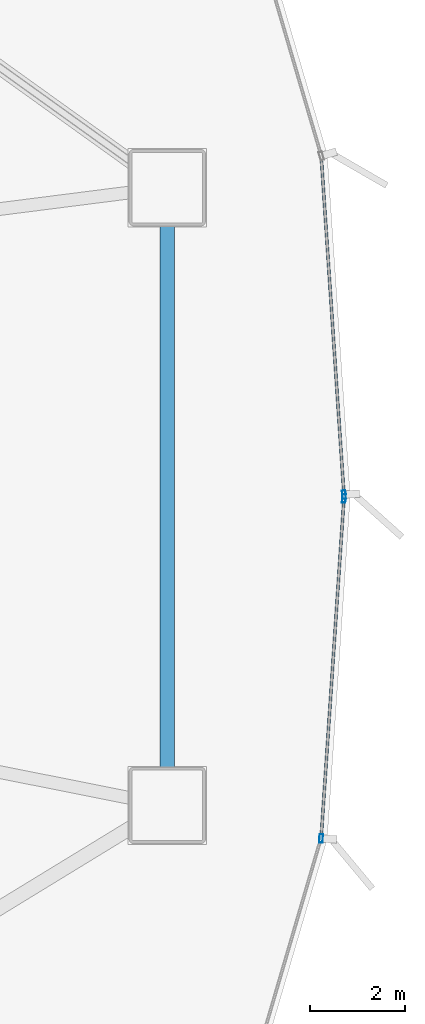
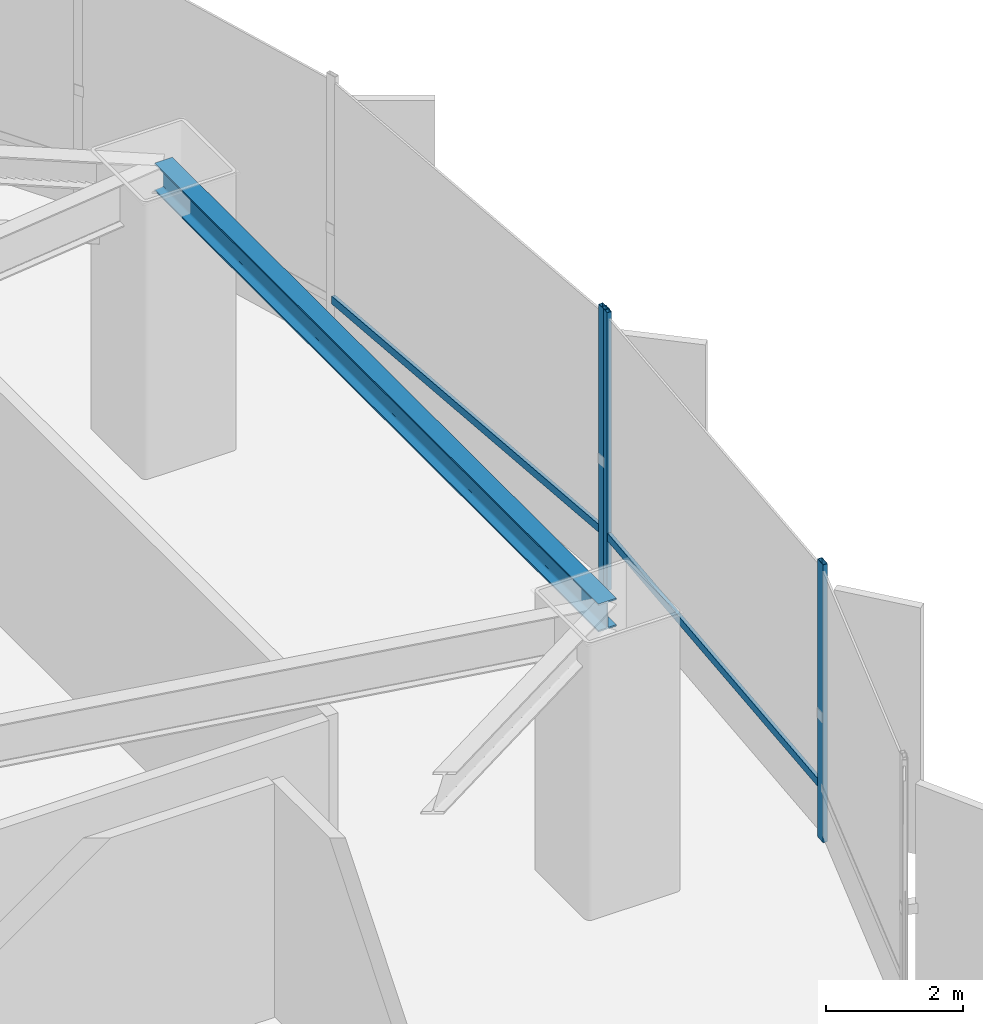
# One storey, part 18 of 35: 5 members, 1 beam, 2 elements without a shape of their own.
"""IFC4 building model written with IfcOpenShell, lengths in metres."""

import ifcopenshell
import ifcopenshell.guid

model = None  # the IFC model being written
_history = None  # IfcOwnerHistory: only IFC2X3 demands one
_inside = {}  # id of a spatial element -> (the spatial element, [elements in it])
_under = {}  # id of a project, library or spatial element -> (it, [spatial elements below it])
_declared = {}  # id of a project -> (the project, [libraries it declares])
_typed = {}  # id of a type object -> (the type object, [elements of that type])
_made_of = {}  # id of a material, layer set ... -> (it, [elements and type objects made of it])


def new_model(schema):
    """Start an empty IFC model of exactly this schema.

    Asked for "IFC4X3", IfcOpenShell would pick the latest addendum, in which some entities
    have other attributes; the version numbers below select the first issue.
    IFC2X3 requires an IfcOwnerHistory on every rooted entity: one is made here for all.
    """
    global model, _history
    if schema == "IFC4X3":
        model = ifcopenshell.file(schema_version=(4, 3, 0, 0))
    else:
        model = ifcopenshell.file(schema=schema)
    _inside.clear()
    _under.clear()
    _declared.clear()
    _typed.clear()
    _made_of.clear()
    _history = None
    if model.schema == "IFC2X3":
        org = make("IfcOrganization", Name="unknown")
        user = make(
            "IfcPersonAndOrganization",
            ThePerson=make("IfcPerson", FamilyName="unknown"),
            TheOrganization=org,
        )
        app = make(
            "IfcApplication",
            ApplicationDeveloper=org,
            Version="unknown",
            ApplicationFullName="unknown",
            ApplicationIdentifier="unknown",
        )
        _history = make(
            "IfcOwnerHistory",
            OwningUser=user,
            OwningApplication=app,
            ChangeAction="ADDED",
            CreationDate=0,
        )
    return model


def make(cls, **values):
    """One entity of the class cls with the attributes given. An attribute that is None is left unset."""
    return model.create_entity(
        cls, **{name: value for name, value in values.items() if value is not None}
    )


def rooted(cls, **values):
    """An entity with a GlobalId (a new one), such as an element, a storey or a relation."""
    return make(cls, GlobalId=ifcopenshell.guid.new(), OwnerHistory=_history, **values)


def si_unit(unit_type, name, prefix=None):
    """IfcSIUnit, for example si_unit("LENGTHUNIT", "METRE", prefix="MILLI")."""
    return make("IfcSIUnit", UnitType=unit_type, Prefix=prefix, Name=name)


def assignment(units):
    """IfcUnitAssignment: the units of a project."""
    return None if units is None else make("IfcUnitAssignment", Units=units)


def point(xyz):
    """IfcCartesianPoint."""
    return None if xyz is None else make("IfcCartesianPoint", Coordinates=xyz)


def direction(xyz):
    """IfcDirection."""
    return None if xyz is None else make("IfcDirection", DirectionRatios=xyz)


def frame(location, z_axis=None, x_axis=None):
    """IfcAxis2Placement3D, a coordinate frame: its origin and axes. An axis left out is left unset."""
    return make(
        "IfcAxis2Placement3D",
        Location=point(location),
        Axis=direction(z_axis),
        RefDirection=direction(x_axis),
    )


def frame_2d(location, x_axis=None):
    """IfcAxis2Placement2D, a coordinate frame in the plane: its origin and x axis."""
    return make(
        "IfcAxis2Placement2D", Location=point(location), RefDirection=direction(x_axis)
    )


def origin():
    """The frame at (0, 0, 0) with its axes left unset."""
    return frame((0.0, 0.0, 0.0))


def origin_2d():
    """The frame at (0, 0) in the plane with its x axis left unset."""
    return frame_2d((0.0, 0.0))


def place(relative_to, where):
    """IfcLocalPlacement: puts the frame where relative to a parent placement (None: the world)."""
    return make(
        "IfcLocalPlacement", PlacementRelTo=relative_to, RelativePlacement=where
    )


def context(
    kind, dimensions, precision=None, world=None, true_north=None, identifier=None
):
    """IfcGeometricRepresentationContext, for example the 3D "Model" context."""
    return make(
        "IfcGeometricRepresentationContext",
        ContextIdentifier=identifier,
        ContextType=kind,
        CoordinateSpaceDimension=dimensions,
        Precision=precision,
        WorldCoordinateSystem=world,
        TrueNorth=true_north,
    )


def subcontext(parent, identifier, kind, view, scale=None):
    """IfcGeometricRepresentationSubContext, for example "Body" below "Model"."""
    return make(
        "IfcGeometricRepresentationSubContext",
        ContextIdentifier=identifier,
        ContextType=kind,
        ParentContext=parent,
        TargetScale=scale,
        TargetView=view,
    )


def project(units=None, contexts=None):
    """IfcProject with its units and contexts."""
    return rooted(
        "IfcProject",
        Name="project",
        RepresentationContexts=contexts,
        UnitsInContext=assignment(units),
    )


def spatial(cls, under=None, at=None, **own):
    """A site, building, storey or space (cls), placed at a placement, below another one or the project."""
    s = rooted(cls, ObjectPlacement=at, **own)
    if under is not None:
        _under.setdefault(under.id(), (under, []))[1].append(s)
    return s


def profile(cls, at=None, kind="AREA", **sizes):
    """A parametric profile (cls). Its sizes go by their IFC names, for example OverallWidth=200.0."""
    return make(cls, ProfileType=kind, Position=at, **sizes)


def hollow_rectangle(**sizes):
    """IfcRectangleHollowProfileDef."""
    return profile("IfcRectangleHollowProfileDef", **sizes)


def i_section(**sizes):
    """IfcIShapeProfileDef."""
    return profile("IfcIShapeProfileDef", **sizes)


def extrude(swept, where, along, depth):
    """IfcExtrudedAreaSolid: the profile swept, set in the frame where, extruded along a direction by depth."""
    return make(
        "IfcExtrudedAreaSolid",
        SweptArea=swept,
        Position=where,
        ExtrudedDirection=direction(along),
        Depth=depth,
    )


def shape(context_of_items, identifier, shape_type, items):
    """IfcShapeRepresentation: the items that make up one representation, for example the "Body"."""
    return make(
        "IfcShapeRepresentation",
        ContextOfItems=context_of_items,
        RepresentationIdentifier=identifier,
        RepresentationType=shape_type,
        Items=items,
    )


def source(mapping_origin, context_of_items, identifier, shape_type, items):
    """IfcRepresentationMap: a shape defined once, which mapped items show again and again."""
    return make(
        "IfcRepresentationMap",
        MappingOrigin=mapping_origin,
        MappedRepresentation=shape(context_of_items, identifier, shape_type, items),
    )


def transform(
    local_origin,
    x_axis=None,
    y_axis=None,
    z_axis=None,
    scale=None,
    scale2=None,
    scale3=None,
    uniform=True,
):
    """IfcCartesianTransformationOperator3D, or its non-uniform kind. x_axis, y_axis, z_axis: its Axis1, 2, 3."""
    if uniform:
        return make(
            "IfcCartesianTransformationOperator3D",
            Axis1=direction(x_axis),
            Axis2=direction(y_axis),
            LocalOrigin=point(local_origin),
            Scale=scale,
            Axis3=direction(z_axis),
        )
    return make(
        "IfcCartesianTransformationOperator3DnonUniform",
        Axis1=direction(x_axis),
        Axis2=direction(y_axis),
        LocalOrigin=point(local_origin),
        Scale=scale,
        Axis3=direction(z_axis),
        Scale2=scale2,
        Scale3=scale3,
    )


def mapped(mapping_source, mapping_target):
    """IfcMappedItem: shows the shape of a source again, moved by a transform."""
    return make(
        "IfcMappedItem", MappingSource=mapping_source, MappingTarget=mapping_target
    )


def material(Name=None, Category=None):
    """IfcMaterial."""
    return make("IfcMaterial", Name=Name, Category=Category)


def layer(
    of_material, thickness, ventilated=None, Name=None, Category=None, Priority=None
):
    """IfcMaterialLayer: one layer of a wall or slab, of a material (None: an air gap)."""
    return make(
        "IfcMaterialLayer",
        Material=of_material,
        LayerThickness=thickness,
        IsVentilated=ventilated,
        Name=Name,
        Category=Category,
        Priority=Priority,
    )


def layer_set(layers, Name=None):
    """IfcMaterialLayerSet."""
    return make("IfcMaterialLayerSet", MaterialLayers=layers, LayerSetName=Name)


def material_profile(
    of_material, cross_section, Name=None, Category=None, Priority=None
):
    """IfcMaterialProfile: a cross section and its material."""
    return make(
        "IfcMaterialProfile",
        Name=Name,
        Material=of_material,
        Profile=cross_section,
        Priority=Priority,
        Category=Category,
    )


def profile_set(profiles, Name=None, composite=None):
    """IfcMaterialProfileSet."""
    return make(
        "IfcMaterialProfileSet",
        Name=Name,
        MaterialProfiles=profiles,
        CompositeProfile=composite,
    )


def made_of(thing, what):
    """Note that an element or type object is made of a material, layer set ...; save() writes the relation."""
    if what is not None:
        _made_of.setdefault(what.id(), (what, []))[1].append(thing)
    return thing


def type_object(cls, material=None, **own):
    """A type object (cls), such as IfcWallType, which elements share."""
    return made_of(rooted(cls, **own), material)


def element(
    cls,
    number,
    at=None,
    inside=None,
    cuts=None,
    type_object=None,
    material=None,
    context=None,
    identifier="Body",
    shape_type=None,
    held_by="IfcProductDefinitionShape",
    body=None,
    shapes=None,
    **own,
):
    """One element of the class cls, such as IfcWall. Its Tag is "e" and its number.

    at: its placement. inside: the storey or other place that contains it. cuts: it is an
    opening in that element (IfcRelVoidsElement). A single representation is given by context,
    identifier, shape_type and body (its items); several are given by shapes. held_by: the class
    of the entity that holds the representations. save() writes the other relations.
    """
    e = rooted(cls, Tag="e%d" % number, ObjectPlacement=at, **own)
    if body is not None:
        shapes = [shape(context, identifier, shape_type, body)]
    if shapes is not None:
        e.Representation = make(held_by, Representations=shapes)
    if inside is not None:
        _inside.setdefault(inside.id(), (inside, []))[1].append(e)
    if cuts is not None:
        rooted(
            "IfcRelVoidsElement", RelatingBuildingElement=cuts, RelatedOpeningElement=e
        )
    if type_object is not None:
        _typed.setdefault(type_object.id(), (type_object, []))[1].append(e)
    return made_of(e, material)


def aggregate(whole, parts):
    """IfcRelAggregates: a whole, such as a stair, and the parts it consists of."""
    return rooted("IfcRelAggregates", RelatingObject=whole, RelatedObjects=parts)


def save(model, path):
    """Write the relations noted so far, then the file.

    IfcRelAggregates (storeys below a building ...), IfcRelContainedInSpatialStructure (elements
    in a storey), IfcRelDefinesByType, IfcRelAssociatesMaterial and IfcRelDeclares: one each for
    every whole, place, type object, material and project.
    """
    for whole, parts in _under.values():
        aggregate(whole, parts)
    for where, things in _inside.values():
        rooted(
            "IfcRelContainedInSpatialStructure",
            RelatedElements=things,
            RelatingStructure=where,
        )
    for kind, things in _typed.values():
        rooted("IfcRelDefinesByType", RelatedObjects=things, RelatingType=kind)
    for what, things in _made_of.values():
        rooted("IfcRelAssociatesMaterial", RelatedObjects=things, RelatingMaterial=what)
    for by, libraries in _declared.values():
        rooted("IfcRelDeclares", RelatingContext=by, RelatedDefinitions=libraries)
    model.write(path)


model = new_model("IFC4")

# Units and contexts
model_context = context("Model", 3, precision=1e-05, world=origin(), true_north=direction((0.0, 1.0)))
body_context = subcontext(model_context, "Body", "Model", "MODEL_VIEW")
ifc_project = project(units=[si_unit("LENGTHUNIT", "METRE"), si_unit("AREAUNIT", "SQUARE_METRE"), si_unit("VOLUMEUNIT", "CUBIC_METRE"), si_unit("PLANEANGLEUNIT", "RADIAN"), si_unit("MASSUNIT", "GRAM", prefix="KILO"), si_unit("THERMODYNAMICTEMPERATUREUNIT", "KELVIN")], contexts=[model_context])

# Site, building, storey
site_placement = place(None, origin())
site = spatial("IfcSite", under=ifc_project, at=site_placement, CompositionType="ELEMENT")
building_placement = place(site_placement, origin())
building = spatial("IfcBuilding", under=site, at=building_placement, Name="Kethvar Cultural Tower", CompositionType="ELEMENT")
storey_placement = place(building_placement, origin())
storey = spatial("IfcBuildingStorey", under=building, at=storey_placement, Name="L00", CompositionType="ELEMENT", Elevation=0.0)

# Beam
ifc_material_1 = material(Name="Steel S355J2", Category="steel")
ifc_material_profile_1 = material_profile(ifc_material_1, i_section(OverallWidth=0.300048828125, OverallDepth=0.5, WebThickness=0.014404296875, FlangeThickness=0.028076171875, FilletRadius=0.027099609375, at=origin_2d()), Name="Steel S355J2 — HEB500")
ifc_profile_set_1 = profile_set([ifc_material_profile_1], Name="Steel S355J2 — HEB500")
beam_type = type_object("IfcBeamType", Name="BM-SP500", PredefinedType="SPANDREL", material=ifc_profile_set_1)
shared_shape_1 = source(origin(), body_context, "Body", "SweptSolid", [
    extrude(i_section(OverallWidth=0.300048828125, OverallDepth=0.5, WebThickness=0.014404296875, FlangeThickness=0.028076171875, FilletRadius=0.027099609375, at=origin_2d()), origin(), (0.0, 0.0, 1.0), 12.9541015625),
])
beam_placement = place(storey_placement, frame((79.362060546875, 21.322998046875, 4.697998046875), z_axis=(0.0, 1.0, 0.0), x_axis=(-1.0, 0.0, 0.0)))
element("IfcBeam", 1, at=beam_placement, inside=storey, type_object=beam_type, Name="L00 Podium Ring Beam 16", PredefinedType="SPANDREL", context=body_context, shape_type="MappedRepresentation", body=[
    mapped(shared_shape_1, transform((0.0, 0.0, 0.0), scale=1.0)),
])

# Curtain wall, member
ifc_material_2 = material(Name="Aluminium 6063-T6", Category="aluminium")
ifc_layer = layer(ifc_material_2, 0.179931640625, Name="Aluminium 6063-T6", Category="aluminium")
ifc_layer_set = layer_set([ifc_layer], Name="Aluminium 6063-T6 (180 mm)")
curtain_wall_type = type_object("IfcCurtainWallType", Name="CW-SYS-01-POD", PredefinedType="NOTDEFINED", material=ifc_layer_set)
curtain_wall_1_placement = place(storey_placement, origin())
curtain_wall_1 = element("IfcCurtainWall", 2, at=curtain_wall_1_placement, inside=storey, type_object=curtain_wall_type, Name="L00 Curtain Wall Run 01", PredefinedType="NOTDEFINED")
ifc_material_profile_2 = material_profile(ifc_material_2, hollow_rectangle(XDim=0.074951171875, YDim=0.179931640625, WallThickness=0.006103515625, at=origin_2d()), Name="Aluminium 6063-T6 — RHS180x75x6")
ifc_profile_set_2 = profile_set([ifc_material_profile_2], Name="Aluminium 6063-T6 — RHS180x75x6")
member_type_1 = type_object("IfcMemberType", Name="CW-SYS-01-POD-MUL", PredefinedType="MULLION", material=ifc_profile_set_2)
shared_shape_2 = source(origin(), body_context, "Body", "SweptSolid", [
    extrude(hollow_rectangle(XDim=0.074951171875, YDim=0.179931640625, WallThickness=0.006103515625, at=origin_2d()), origin(), (0.0, 0.0, 1.0), 4.949951171875),
])
member_1_placement = place(storey_placement, frame((83.06689453125, 27.83984375, 0.0), z_axis=(0.0, 0.0, 1.0), x_axis=(-0.997750279374, -0.067040137302, 0.0)))
member_1 = element("IfcMember", 3, at=member_1_placement, type_object=member_type_1, Name="CW-L00-R01 Mullion 1", PredefinedType="MULLION", context=body_context, shape_type="MappedRepresentation", body=[
    mapped(shared_shape_2, transform((0.0, 0.0, 0.0), scale=1.0)),
])

# Curtain wall, members
curtain_wall_2_placement = place(storey_placement, origin())
curtain_wall_2 = element("IfcCurtainWall", 4, at=curtain_wall_2_placement, inside=storey, type_object=curtain_wall_type, Name="L00 Curtain Wall Run 05", PredefinedType="NOTDEFINED")
member_2_placement = place(storey_placement, frame((82.587890625, 20.630126953125, 0.0), z_axis=(0.0, 0.0, 1.0), x_axis=(-0.997750279374, 0.067040137302, 0.0)))
member_2 = element("IfcMember", 5, at=member_2_placement, type_object=member_type_1, Name="CW-L00-R05 Mullion 2", PredefinedType="MULLION", context=body_context, shape_type="MappedRepresentation", body=[
    mapped(shared_shape_2, transform((0.0, 0.0, 0.0), scale=1.0)),
])
member_3_placement = place(storey_placement, frame((83.06689453125, 27.760009765625, 0.0), z_axis=(0.0, 0.0, 1.0), x_axis=(-0.997750279374, 0.067040137302, 0.0)))
member_3 = element("IfcMember", 6, at=member_3_placement, type_object=member_type_1, Name="CW-L00-R05 Mullion 3", PredefinedType="MULLION", context=body_context, shape_type="MappedRepresentation", body=[
    mapped(shared_shape_2, transform((0.0, 0.0, 0.0), scale=1.0)),
])

# Member
ifc_material_profile_3 = material_profile(ifc_material_2, hollow_rectangle(XDim=0.06005859375, YDim=0.139892578125, WallThickness=0.0048828125, at=origin_2d()), Name="Aluminium 6063-T6 — RHS140x60x5")
ifc_profile_set_3 = profile_set([ifc_material_profile_3], Name="Aluminium 6063-T6 — RHS140x60x5")
member_type_2 = type_object("IfcMemberType", Name="CW-SYS-01-POD-TRN", PredefinedType="USERDEFINED", material=ifc_profile_set_3)
shared_shape_3 = source(origin(), body_context, "Body", "SweptSolid", [
    extrude(hollow_rectangle(XDim=0.06005859375, YDim=0.139892578125, WallThickness=0.0048828125, at=origin_2d()), origin(), (0.0, 0.0, 1.0), 7.086669921875),
])
member_4_placement = place(storey_placement, frame((83.066650390625, 27.84521484375, 0.949951171875), z_axis=(-0.067040329347, 0.99775026647, 0.0), x_axis=(-0.99775026647, -0.067040329347, 0.0)))
member_4 = element("IfcMember", 7, at=member_4_placement, type_object=member_type_2, Name="CW-L00-R01 Transom 1", ObjectType="TRANSOM", PredefinedType="USERDEFINED", context=body_context, shape_type="MappedRepresentation", body=[
    mapped(shared_shape_3, transform((0.0, 0.0, 0.0), scale=1.0)),
])

aggregate(curtain_wall_1, [member_1, member_4])

member_5_placement = place(storey_placement, frame((82.591552734375, 20.68408203125, 0.949951171875), z_axis=(0.067040329347, 0.99775026647, 0.0), x_axis=(-0.99775026647, 0.067040329347, 0.0)))
member_5 = element("IfcMember", 8, at=member_5_placement, type_object=member_type_2, Name="CW-L00-R05 Transom 2", ObjectType="TRANSOM", PredefinedType="USERDEFINED", context=body_context, shape_type="MappedRepresentation", body=[
    mapped(shared_shape_3, transform((0.0, 0.0, 0.0), scale=1.0)),
])

aggregate(curtain_wall_2, [member_2, member_3, member_5])

save(model, "model.ifc")
